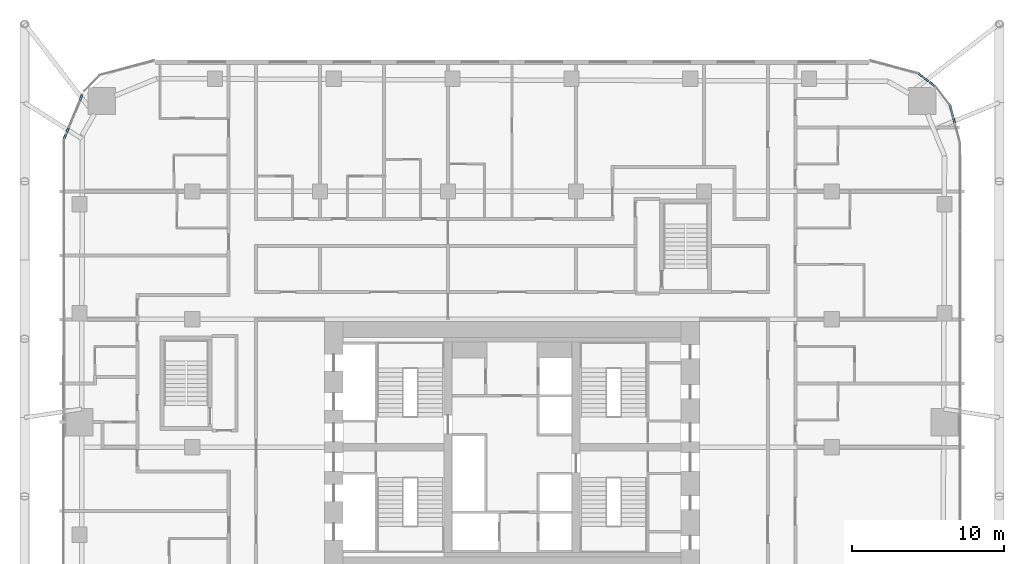
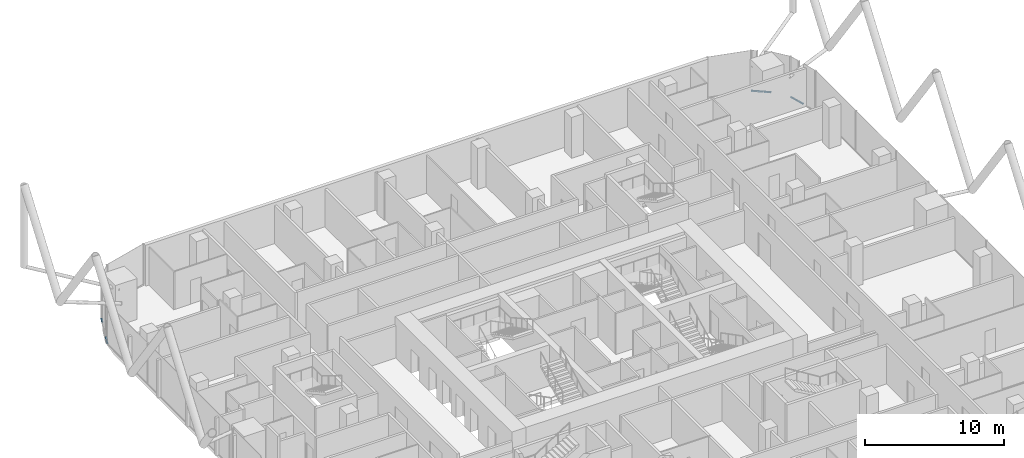
# One storey, part 18 of 38: 8 members, 8 elements without a shape of their own.
"""IFC4 building model written with IfcOpenShell, lengths in metres."""

from ifc_helpers import new_model, si_unit, direction, frame, origin, origin_2d, place, context, subcontext, project, spatial, rectangle, extrude, material, layer, layer_set, material_profile, profile_set, type_object, element, aggregate, save


model = new_model("IFC4")

# Units and contexts
model_context = context("Model", 3, precision=1e-05, world=origin(), true_north=direction((0.0, 1.0)))
body_context = subcontext(model_context, "Body", "Model", "MODEL_VIEW")
ifc_project = project(units=[si_unit("LENGTHUNIT", "METRE"), si_unit("AREAUNIT", "SQUARE_METRE"), si_unit("VOLUMEUNIT", "CUBIC_METRE"), si_unit("PLANEANGLEUNIT", "RADIAN"), si_unit("MASSUNIT", "GRAM", prefix="KILO")], contexts=[model_context])

# Site, building, storey
site_placement = place(None, origin())
site = spatial("IfcSite", under=ifc_project, at=site_placement, CompositionType="ELEMENT")
building_placement = place(site_placement, origin())
building = spatial("IfcBuilding", under=site, at=building_placement, Name="Marenta Gate Hotel Tower", CompositionType="ELEMENT")
storey_placement = place(building_placement, frame((0.0, 0.0, 40.10009765625)))
storey = spatial("IfcBuildingStorey", under=building, at=storey_placement, Name="L07", CompositionType="ELEMENT", Elevation=40.10009765625)

# Curtain wall, member
ifc_material_1 = material(Name="Tinted insulated glass in bronze anodised frame", Category="glass")
ifc_layer = layer(ifc_material_1, 0.1201171875)
ifc_layer_set = layer_set([ifc_layer], Name="Tinted insulated glass in bronze anodised frame")
curtain_wall_type = type_object("IfcCurtainWallType", Name="Tower unitised curtain wall CW1", PredefinedType="NOTDEFINED", material=ifc_layer_set)
curtain_wall_1_placement = place(storey_placement, origin())
curtain_wall_1 = element("IfcCurtainWall", 1, at=curtain_wall_1_placement, inside=storey, type_object=curtain_wall_type, Name="CW1 run G02", PredefinedType="NOTDEFINED")
ifc_material_2 = material(Name="Bronze anodised aluminium", Category="aluminium")
ifc_material_profile = material_profile(ifc_material_2, rectangle(XDim=0.1201171875, YDim=0.06005859375, at=origin_2d()), Name="Transom CW1 60x120 bronze anodised aluminium")
ifc_profile_set = profile_set([ifc_material_profile], Name="Bronze anodised aluminium")
member_type = type_object("IfcMemberType", Name="Transom CW1 60x120 bronze anodised aluminium", PredefinedType="USERDEFINED", material=ifc_profile_set)
member_1_placement = place(storey_placement, frame((-28.208984375, 31.5712890625, 0.02978515625), z_axis=(-0.382927081121, -0.923778572248, 0.0), x_axis=(0.923778572248, -0.382927081121, 0.0)))
member_1 = element("IfcMember", 2, at=member_1_placement, type_object=member_type, Name="CW1 transom 1.1", ObjectType="TRANSOM", PredefinedType="USERDEFINED", context=body_context, shape_type="SweptSolid", body=[
    extrude(rectangle(XDim=0.1201171875, YDim=0.06005859375, at=origin_2d()), origin(), (0.0, 0.0, 1.0), 0.462158203125),
])
aggregate(curtain_wall_1, [member_1])

curtain_wall_2_placement = place(storey_placement, origin())
curtain_wall_2 = element("IfcCurtainWall", 3, at=curtain_wall_2_placement, inside=storey, type_object=curtain_wall_type, Name="CW1 run G04", PredefinedType="NOTDEFINED")
member_2_placement = place(storey_placement, frame((-29.108154296875, 29.400390625, 0.02978515625), z_axis=(-0.382837108959, -0.923815862607, 0.0), x_axis=(0.923815862607, -0.382837108959, 0.0)))
member_2 = element("IfcMember", 4, at=member_2_placement, type_object=member_type, Name="CW1 transom 1.1", ObjectType="TRANSOM", PredefinedType="USERDEFINED", context=body_context, shape_type="SweptSolid", body=[
    extrude(rectangle(XDim=0.1201171875, YDim=0.06005859375, at=origin_2d()), origin(), (0.0, 0.0, 1.0), 0.39990234375),
])
aggregate(curtain_wall_2, [member_2])

curtain_wall_3_placement = place(storey_placement, origin())
curtain_wall_3 = element("IfcCurtainWall", 5, at=curtain_wall_3_placement, inside=storey, type_object=curtain_wall_type, Name="CW1 run G05", PredefinedType="NOTDEFINED")
member_3_placement = place(storey_placement, frame((-29.2841796875, 28.9755859375, 0.02978515625), z_axis=(-0.382802560388, -0.92383017907, 0.0), x_axis=(0.92383017907, -0.382802560388, 0.0)))
member_3 = element("IfcMember", 6, at=member_3_placement, type_object=member_type, Name="CW1 transom 1.1", ObjectType="TRANSOM", PredefinedType="USERDEFINED", context=body_context, shape_type="SweptSolid", body=[
    extrude(rectangle(XDim=0.1201171875, YDim=0.06005859375, at=origin_2d()), origin(), (0.0, 0.0, 1.0), 0.334716796875),
])
aggregate(curtain_wall_3, [member_3])

curtain_wall_4_placement = place(storey_placement, origin())
curtain_wall_4 = element("IfcCurtainWall", 7, at=curtain_wall_4_placement, inside=storey, type_object=curtain_wall_type, Name="CW1 run G36", PredefinedType="NOTDEFINED")
member_4_placement = place(storey_placement, frame((29.075927734375, 29.653564453125, 0.02978515625), z_axis=(-0.258582209755, 0.965989255012, 0.0), x_axis=(-0.965989255012, -0.258582209755, 0.0)))
member_4 = element("IfcMember", 8, at=member_4_placement, type_object=member_type, Name="CW1 transom 1.1", ObjectType="TRANSOM", PredefinedType="USERDEFINED", context=body_context, shape_type="SweptSolid", body=[
    extrude(rectangle(XDim=0.1201171875, YDim=0.06005859375, at=origin_2d()), origin(), (0.0, 0.0, 1.0), 0.396484375),
])
aggregate(curtain_wall_4, [member_4])

curtain_wall_5_placement = place(storey_placement, origin())
curtain_wall_5 = element("IfcCurtainWall", 9, at=curtain_wall_5_placement, inside=storey, type_object=curtain_wall_type, Name="CW1 run G37", PredefinedType="NOTDEFINED")
member_5_placement = place(storey_placement, frame((28.957763671875, 30.094482421875, 0.02978515625), z_axis=(-0.258919656878, 0.965898861829, 0.0), x_axis=(-0.965898861829, -0.258919656878, 0.0)))
member_5 = element("IfcMember", 10, at=member_5_placement, type_object=member_type, Name="CW1 transom 1.1", ObjectType="TRANSOM", PredefinedType="USERDEFINED", context=body_context, shape_type="SweptSolid", body=[
    extrude(rectangle(XDim=0.1201171875, YDim=0.06005859375, at=origin_2d()), origin(), (0.0, 0.0, 1.0), 0.797607421875),
])
aggregate(curtain_wall_5, [member_5])

curtain_wall_6_placement = place(storey_placement, origin())
curtain_wall_6 = element("IfcCurtainWall", 11, at=curtain_wall_6_placement, inside=storey, type_object=curtain_wall_type, Name="CW1 run G39", PredefinedType="NOTDEFINED")
member_6_placement = place(storey_placement, frame((27.7978515625, 32.08203125, 0.02978515625), z_axis=(-0.793224248978, 0.60892962716, 0.0), x_axis=(-0.60892962716, -0.793224248978, 0.0)))
member_6 = element("IfcMember", 12, at=member_6_placement, type_object=member_type, Name="CW1 transom 1.1", ObjectType="TRANSOM", PredefinedType="USERDEFINED", context=body_context, shape_type="SweptSolid", body=[
    extrude(rectangle(XDim=0.1201171875, YDim=0.06005859375, at=origin_2d()), origin(), (0.0, 0.0, 1.0), 0.483642578125),
])
aggregate(curtain_wall_6, [member_6])

curtain_wall_7_placement = place(storey_placement, origin())
curtain_wall_7 = element("IfcCurtainWall", 13, at=curtain_wall_7_placement, inside=storey, type_object=curtain_wall_type, Name="CW1 run G40", PredefinedType="NOTDEFINED")
member_7_placement = place(storey_placement, frame((27.36669921875, 32.412841796875, 0.02978515625), z_axis=(-0.793356294792, 0.608757578609, 0.0), x_axis=(-0.608757578609, -0.793356294792, 0.0)))
member_7 = element("IfcMember", 14, at=member_7_placement, type_object=member_type, Name="CW1 transom 1.1", ObjectType="TRANSOM", PredefinedType="USERDEFINED", context=body_context, shape_type="SweptSolid", body=[
    extrude(rectangle(XDim=0.1201171875, YDim=0.06005859375, at=origin_2d()), origin(), (0.0, 0.0, 1.0), 0.40869140625),
])
aggregate(curtain_wall_7, [member_7])

curtain_wall_8_placement = place(storey_placement, origin())
curtain_wall_8 = element("IfcCurtainWall", 15, at=curtain_wall_8_placement, inside=storey, type_object=curtain_wall_type, Name="CW1 run G41", PredefinedType="NOTDEFINED")
member_8_placement = place(storey_placement, frame((26.994873046875, 32.6982421875, 0.02978515625), z_axis=(-0.793256562422, 0.60888753163, 0.0), x_axis=(-0.60888753163, -0.793256562422, 0.0)))
member_8 = element("IfcMember", 16, at=member_8_placement, type_object=member_type, Name="CW1 transom 1.1", ObjectType="TRANSOM", PredefinedType="USERDEFINED", context=body_context, shape_type="SweptSolid", body=[
    extrude(rectangle(XDim=0.1201171875, YDim=0.06005859375, at=origin_2d()), origin(), (0.0, 0.0, 1.0), 0.415771484375),
])
aggregate(curtain_wall_8, [member_8])

save(model, "model.ifc")
